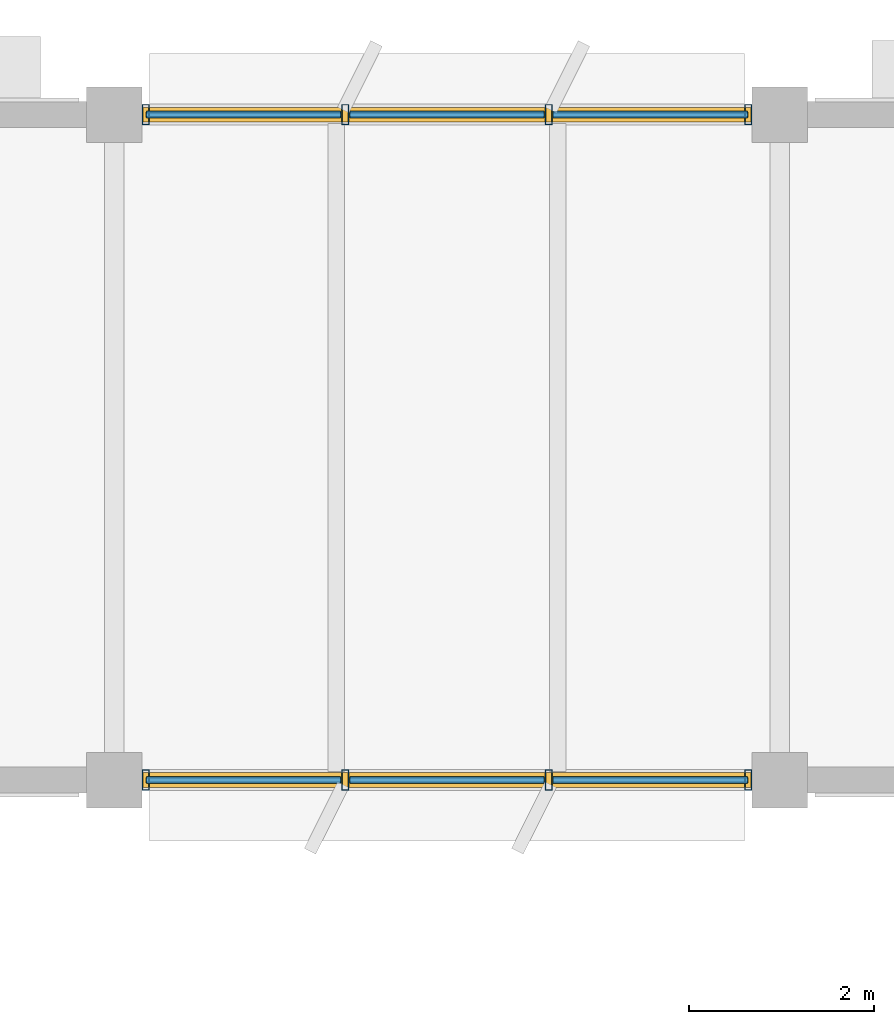
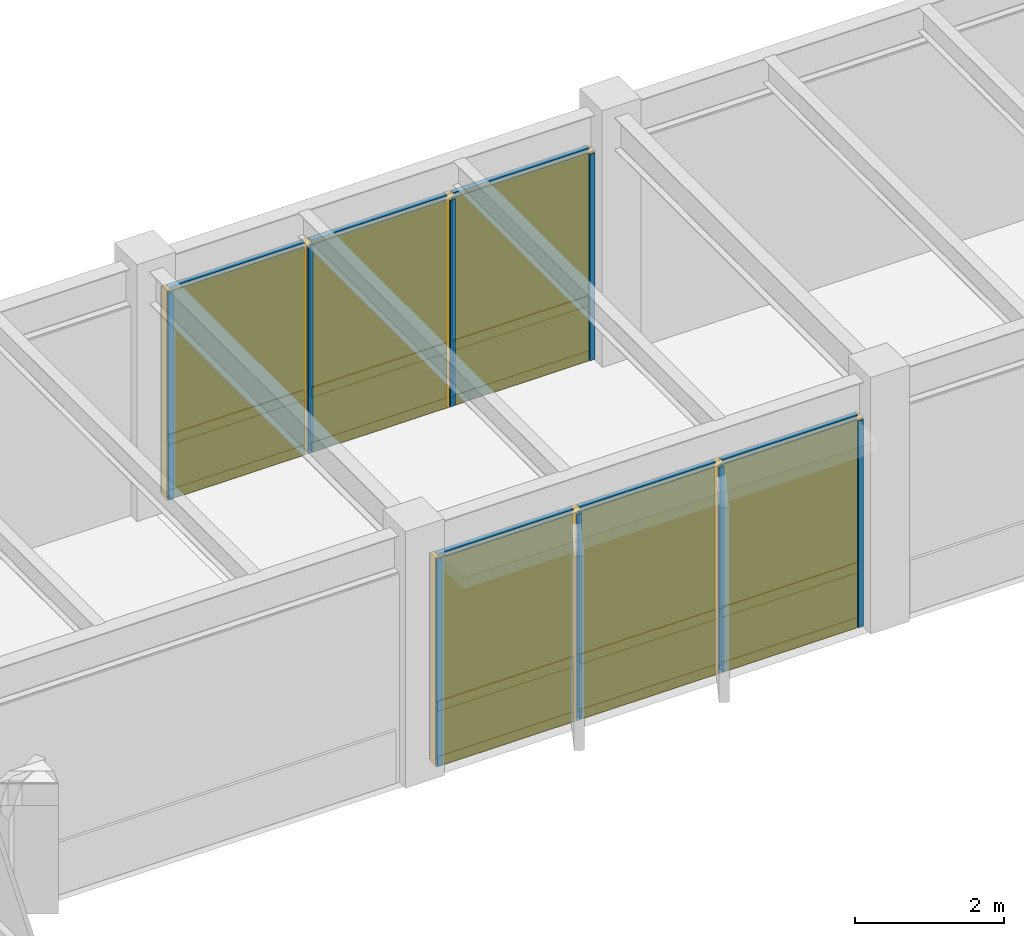
# One storey, part 63 of 85: 26 members, 12 plates, 2 curtain walls.
"""IFC4 building model written with IfcOpenShell, lengths in metres."""

from ifc_helpers import new_model, si_unit, direction, frame, origin, origin_2d, place, context, subcontext, project, spatial, rectangle, hollow_rectangle, extrude, material, layer, layer_set, material_profile, profile_set, type_object, element, aggregate, save


model = new_model("IFC4")

# Units and contexts
model_context = context("Model", 3, precision=1e-05, world=origin(), true_north=direction((0.0, 1.0)))
body_context = subcontext(model_context, "Body", "Model", "MODEL_VIEW")
ifc_project = project(units=[si_unit("LENGTHUNIT", "METRE"), si_unit("AREAUNIT", "SQUARE_METRE"), si_unit("VOLUMEUNIT", "CUBIC_METRE"), si_unit("PLANEANGLEUNIT", "RADIAN"), si_unit("MASSUNIT", "GRAM", prefix="KILO")], contexts=[model_context])

# Member
ifc_material_1 = material(Name="Anodized Aluminium 6063-T6", Category="aluminium")
ifc_material_profile_1 = material_profile(ifc_material_1, hollow_rectangle(XDim=0.074951171875, YDim=0.219970703125, WallThickness=0.0048828125, at=origin_2d()), Name="ALU 75x220x5")
ifc_profile_set_1 = profile_set([ifc_material_profile_1], Name="Anodized Aluminium 6063-T6")
member_type_1 = type_object("IfcMemberType", Name="CWM-75X180", PredefinedType="MULLION", material=ifc_profile_set_1)
site_placement = place(None, origin())
building_placement = place(site_placement, origin())
storey_placement = place(building_placement, frame((0.0, 0.0, 9.89990234375)))
member_1_placement = place(storey_placement, frame((86.06005859375, 108.0, 0.02001953125), z_axis=(0.0, 0.0, 1.0), x_axis=(1.0, 0.0, 0.0)))
member_1 = element("IfcMember", 1, at=member_1_placement, type_object=member_type_1, Name="Curtain wall mullion CW-L03-11-15-S-00", PredefinedType="MULLION", context=body_context, shape_type="SweptSolid", body=[
    extrude(hollow_rectangle(XDim=0.074951171875, YDim=0.219970703125, WallThickness=0.0048828125, at=origin_2d()), origin(), (0.0, 0.0, 1.0), 3.378173828125),
])

member_2_placement = place(storey_placement, frame((83.89990234375, 108.0, 0.02001953125), z_axis=(0.0, 0.0, 1.0), x_axis=(1.0, 0.0, 0.0)))
member_2 = element("IfcMember", 2, at=member_2_placement, type_object=member_type_1, Name="Curtain wall mullion CW-L03-11-15-S-01", PredefinedType="MULLION", context=body_context, shape_type="SweptSolid", body=[
    extrude(hollow_rectangle(XDim=0.074951171875, YDim=0.219970703125, WallThickness=0.0048828125, at=origin_2d()), origin(), (0.0, 0.0, 1.0), 3.378173828125),
])

member_3_placement = place(storey_placement, frame((81.699951171875, 108.0, 0.02001953125), z_axis=(0.0, 0.0, 1.0), x_axis=(1.0, 0.0, 0.0)))
member_3 = element("IfcMember", 3, at=member_3_placement, type_object=member_type_1, Name="Curtain wall mullion CW-L03-11-15-S-02", PredefinedType="MULLION", context=body_context, shape_type="SweptSolid", body=[
    extrude(hollow_rectangle(XDim=0.074951171875, YDim=0.219970703125, WallThickness=0.0048828125, at=origin_2d()), origin(), (0.0, 0.0, 1.0), 3.378173828125),
])

member_4_placement = place(storey_placement, frame((79.5400390625, 108.0, 0.02001953125), z_axis=(0.0, 0.0, 1.0), x_axis=(1.0, 0.0, 0.0)))
member_4 = element("IfcMember", 4, at=member_4_placement, type_object=member_type_1, Name="Curtain wall mullion CW-L03-11-15-S-03", PredefinedType="MULLION", context=body_context, shape_type="SweptSolid", body=[
    extrude(hollow_rectangle(XDim=0.074951171875, YDim=0.219970703125, WallThickness=0.0048828125, at=origin_2d()), origin(), (0.0, 0.0, 1.0), 3.378173828125),
])

member_5_placement = place(storey_placement, frame((79.5400390625, 115.199951171875, 0.02001953125), z_axis=(0.0, 0.0, 1.0), x_axis=(1.0, 0.0, 0.0)))
member_5 = element("IfcMember", 5, at=member_5_placement, type_object=member_type_1, Name="Curtain wall mullion CW-L03-11-15-N-00", PredefinedType="MULLION", context=body_context, shape_type="SweptSolid", body=[
    extrude(hollow_rectangle(XDim=0.074951171875, YDim=0.219970703125, WallThickness=0.0048828125, at=origin_2d()), origin(), (0.0, 0.0, 1.0), 3.378173828125),
])

member_6_placement = place(storey_placement, frame((81.699951171875, 115.199951171875, 0.02001953125), z_axis=(0.0, 0.0, 1.0), x_axis=(1.0, 0.0, 0.0)))
member_6 = element("IfcMember", 6, at=member_6_placement, type_object=member_type_1, Name="Curtain wall mullion CW-L03-11-15-N-01", PredefinedType="MULLION", context=body_context, shape_type="SweptSolid", body=[
    extrude(hollow_rectangle(XDim=0.074951171875, YDim=0.219970703125, WallThickness=0.0048828125, at=origin_2d()), origin(), (0.0, 0.0, 1.0), 3.378173828125),
])

member_7_placement = place(storey_placement, frame((83.89990234375, 115.199951171875, 0.02001953125), z_axis=(0.0, 0.0, 1.0), x_axis=(1.0, 0.0, 0.0)))
member_7 = element("IfcMember", 7, at=member_7_placement, type_object=member_type_1, Name="Curtain wall mullion CW-L03-11-15-N-02", PredefinedType="MULLION", context=body_context, shape_type="SweptSolid", body=[
    extrude(hollow_rectangle(XDim=0.074951171875, YDim=0.219970703125, WallThickness=0.0048828125, at=origin_2d()), origin(), (0.0, 0.0, 1.0), 3.378173828125),
])

member_8_placement = place(storey_placement, frame((86.06005859375, 115.199951171875, 0.02001953125), z_axis=(0.0, 0.0, 1.0), x_axis=(1.0, 0.0, 0.0)))
member_8 = element("IfcMember", 8, at=member_8_placement, type_object=member_type_1, Name="Curtain wall mullion CW-L03-11-15-N-03", PredefinedType="MULLION", context=body_context, shape_type="SweptSolid", body=[
    extrude(hollow_rectangle(XDim=0.074951171875, YDim=0.219970703125, WallThickness=0.0048828125, at=origin_2d()), origin(), (0.0, 0.0, 1.0), 3.378173828125),
])

ifc_material_profile_2 = material_profile(ifc_material_1, hollow_rectangle(XDim=0.074951171875, YDim=0.159912109375, WallThickness=0.00390625, at=origin_2d()), Name="ALU 75x160x4")
ifc_profile_set_2 = profile_set([ifc_material_profile_2], Name="Anodized Aluminium 6063-T6")
member_type_2 = type_object("IfcMemberType", Name="CWT-75X150", PredefinedType="USERDEFINED", material=ifc_profile_set_2)
member_9_placement = place(storey_placement, frame((86.050048828125, 108.0, 0.050048828125), z_axis=(-1.0, 0.0, 0.0), x_axis=(0.0, -1.0, 0.0)))
member_9 = element("IfcMember", 9, at=member_9_placement, type_object=member_type_2, Name="Curtain wall transom CW-L03-11-15-S-1.01", ObjectType="TRANSOM", PredefinedType="USERDEFINED", context=body_context, shape_type="SweptSolid", body=[
    extrude(hollow_rectangle(XDim=0.074951171875, YDim=0.159912109375, WallThickness=0.00390625, at=origin_2d()), origin(), (0.0, 0.0, 1.0), 2.10009765625),
])

member_10_placement = place(storey_placement, frame((83.85009765625, 108.0, 0.050048828125), z_axis=(-1.0, 0.0, 0.0), x_axis=(0.0, -1.0, 0.0)))
member_10 = element("IfcMember", 10, at=member_10_placement, type_object=member_type_2, Name="Curtain wall transom CW-L03-11-15-S-1.02", ObjectType="TRANSOM", PredefinedType="USERDEFINED", context=body_context, shape_type="SweptSolid", body=[
    extrude(hollow_rectangle(XDim=0.074951171875, YDim=0.159912109375, WallThickness=0.00390625, at=origin_2d()), origin(), (0.0, 0.0, 1.0), 2.10009765625),
])

member_11_placement = place(storey_placement, frame((81.64990234375, 108.0, 0.050048828125), z_axis=(-1.0, 0.0, 0.0), x_axis=(0.0, -1.0, 0.0)))
member_11 = element("IfcMember", 11, at=member_11_placement, type_object=member_type_2, Name="Curtain wall transom CW-L03-11-15-S-1.03", ObjectType="TRANSOM", PredefinedType="USERDEFINED", context=body_context, shape_type="SweptSolid", body=[
    extrude(hollow_rectangle(XDim=0.074951171875, YDim=0.159912109375, WallThickness=0.00390625, at=origin_2d()), origin(), (0.0, 0.0, 1.0), 2.099853515625),
])

member_12_placement = place(storey_placement, frame((86.050048828125, 108.0, 0.9501953125), z_axis=(-1.0, 0.0, 0.0), x_axis=(0.0, -1.0, 0.0)))
member_12 = element("IfcMember", 12, at=member_12_placement, type_object=member_type_2, Name="Curtain wall transom CW-L03-11-15-S-2.01", ObjectType="TRANSOM", PredefinedType="USERDEFINED", context=body_context, shape_type="SweptSolid", body=[
    extrude(hollow_rectangle(XDim=0.074951171875, YDim=0.159912109375, WallThickness=0.00390625, at=origin_2d()), origin(), (0.0, 0.0, 1.0), 2.10009765625),
])

member_13_placement = place(storey_placement, frame((83.85009765625, 108.0, 0.9501953125), z_axis=(-1.0, 0.0, 0.0), x_axis=(0.0, -1.0, 0.0)))
member_13 = element("IfcMember", 13, at=member_13_placement, type_object=member_type_2, Name="Curtain wall transom CW-L03-11-15-S-2.02", ObjectType="TRANSOM", PredefinedType="USERDEFINED", context=body_context, shape_type="SweptSolid", body=[
    extrude(hollow_rectangle(XDim=0.074951171875, YDim=0.159912109375, WallThickness=0.00390625, at=origin_2d()), origin(), (0.0, 0.0, 1.0), 2.10009765625),
])

member_14_placement = place(storey_placement, frame((81.64990234375, 108.0, 0.9501953125), z_axis=(-1.0, 0.0, 0.0), x_axis=(0.0, -1.0, 0.0)))
member_14 = element("IfcMember", 14, at=member_14_placement, type_object=member_type_2, Name="Curtain wall transom CW-L03-11-15-S-2.03", ObjectType="TRANSOM", PredefinedType="USERDEFINED", context=body_context, shape_type="SweptSolid", body=[
    extrude(hollow_rectangle(XDim=0.074951171875, YDim=0.159912109375, WallThickness=0.00390625, at=origin_2d()), origin(), (0.0, 0.0, 1.0), 2.099853515625),
])

member_15_placement = place(storey_placement, frame((86.050048828125, 108.0, 3.3681640625), z_axis=(-1.0, 0.0, 0.0), x_axis=(0.0, -1.0, 0.0)))
member_15 = element("IfcMember", 15, at=member_15_placement, type_object=member_type_2, Name="Curtain wall transom CW-L03-11-15-S-3.01", ObjectType="TRANSOM", PredefinedType="USERDEFINED", context=body_context, shape_type="SweptSolid", body=[
    extrude(hollow_rectangle(XDim=0.074951171875, YDim=0.159912109375, WallThickness=0.00390625, at=origin_2d()), origin(), (0.0, 0.0, 1.0), 2.10009765625),
])

member_16_placement = place(storey_placement, frame((83.85009765625, 108.0, 3.3681640625), z_axis=(-1.0, 0.0, 0.0), x_axis=(0.0, -1.0, 0.0)))
member_16 = element("IfcMember", 16, at=member_16_placement, type_object=member_type_2, Name="Curtain wall transom CW-L03-11-15-S-3.02", ObjectType="TRANSOM", PredefinedType="USERDEFINED", context=body_context, shape_type="SweptSolid", body=[
    extrude(hollow_rectangle(XDim=0.074951171875, YDim=0.159912109375, WallThickness=0.00390625, at=origin_2d()), origin(), (0.0, 0.0, 1.0), 2.10009765625),
])

member_17_placement = place(storey_placement, frame((81.64990234375, 108.0, 3.3681640625), z_axis=(-1.0, 0.0, 0.0), x_axis=(0.0, -1.0, 0.0)))
member_17 = element("IfcMember", 17, at=member_17_placement, type_object=member_type_2, Name="Curtain wall transom CW-L03-11-15-S-3.03", ObjectType="TRANSOM", PredefinedType="USERDEFINED", context=body_context, shape_type="SweptSolid", body=[
    extrude(hollow_rectangle(XDim=0.074951171875, YDim=0.159912109375, WallThickness=0.00390625, at=origin_2d()), origin(), (0.0, 0.0, 1.0), 2.099853515625),
])

member_18_placement = place(storey_placement, frame((79.550048828125, 115.199951171875, 0.050048828125), z_axis=(1.0, 0.0, 0.0), x_axis=(0.0, 1.0, 0.0)))
member_18 = element("IfcMember", 18, at=member_18_placement, type_object=member_type_2, Name="Curtain wall transom CW-L03-11-15-N-1.01", ObjectType="TRANSOM", PredefinedType="USERDEFINED", context=body_context, shape_type="SweptSolid", body=[
    extrude(hollow_rectangle(XDim=0.074951171875, YDim=0.159912109375, WallThickness=0.00390625, at=origin_2d()), origin(), (0.0, 0.0, 1.0), 2.099853515625),
])

member_19_placement = place(storey_placement, frame((81.75, 115.199951171875, 0.050048828125), z_axis=(1.0, 0.0, 0.0), x_axis=(0.0, 1.0, 0.0)))
member_19 = element("IfcMember", 19, at=member_19_placement, type_object=member_type_2, Name="Curtain wall transom CW-L03-11-15-N-1.02", ObjectType="TRANSOM", PredefinedType="USERDEFINED", context=body_context, shape_type="SweptSolid", body=[
    extrude(hollow_rectangle(XDim=0.074951171875, YDim=0.159912109375, WallThickness=0.00390625, at=origin_2d()), origin(), (0.0, 0.0, 1.0), 2.10009765625),
])

member_20_placement = place(storey_placement, frame((83.949951171875, 115.199951171875, 0.050048828125), z_axis=(1.0, 0.0, 0.0), x_axis=(0.0, 1.0, 0.0)))
member_20 = element("IfcMember", 20, at=member_20_placement, type_object=member_type_2, Name="Curtain wall transom CW-L03-11-15-N-1.03", ObjectType="TRANSOM", PredefinedType="USERDEFINED", context=body_context, shape_type="SweptSolid", body=[
    extrude(hollow_rectangle(XDim=0.074951171875, YDim=0.159912109375, WallThickness=0.00390625, at=origin_2d()), origin(), (0.0, 0.0, 1.0), 2.10009765625),
])

member_21_placement = place(storey_placement, frame((79.550048828125, 115.199951171875, 0.9501953125), z_axis=(1.0, 0.0, 0.0), x_axis=(0.0, 1.0, 0.0)))
member_21 = element("IfcMember", 21, at=member_21_placement, type_object=member_type_2, Name="Curtain wall transom CW-L03-11-15-N-2.01", ObjectType="TRANSOM", PredefinedType="USERDEFINED", context=body_context, shape_type="SweptSolid", body=[
    extrude(hollow_rectangle(XDim=0.074951171875, YDim=0.159912109375, WallThickness=0.00390625, at=origin_2d()), origin(), (0.0, 0.0, 1.0), 2.099853515625),
])

member_22_placement = place(storey_placement, frame((81.75, 115.199951171875, 0.9501953125), z_axis=(1.0, 0.0, 0.0), x_axis=(0.0, 1.0, 0.0)))
member_22 = element("IfcMember", 22, at=member_22_placement, type_object=member_type_2, Name="Curtain wall transom CW-L03-11-15-N-2.02", ObjectType="TRANSOM", PredefinedType="USERDEFINED", context=body_context, shape_type="SweptSolid", body=[
    extrude(hollow_rectangle(XDim=0.074951171875, YDim=0.159912109375, WallThickness=0.00390625, at=origin_2d()), origin(), (0.0, 0.0, 1.0), 2.10009765625),
])

member_23_placement = place(storey_placement, frame((83.949951171875, 115.199951171875, 0.9501953125), z_axis=(1.0, 0.0, 0.0), x_axis=(0.0, 1.0, 0.0)))
member_23 = element("IfcMember", 23, at=member_23_placement, type_object=member_type_2, Name="Curtain wall transom CW-L03-11-15-N-2.03", ObjectType="TRANSOM", PredefinedType="USERDEFINED", context=body_context, shape_type="SweptSolid", body=[
    extrude(hollow_rectangle(XDim=0.074951171875, YDim=0.159912109375, WallThickness=0.00390625, at=origin_2d()), origin(), (0.0, 0.0, 1.0), 2.10009765625),
])

member_24_placement = place(storey_placement, frame((79.550048828125, 115.199951171875, 3.3681640625), z_axis=(1.0, 0.0, 0.0), x_axis=(0.0, 1.0, 0.0)))
member_24 = element("IfcMember", 24, at=member_24_placement, type_object=member_type_2, Name="Curtain wall transom CW-L03-11-15-N-3.01", ObjectType="TRANSOM", PredefinedType="USERDEFINED", context=body_context, shape_type="SweptSolid", body=[
    extrude(hollow_rectangle(XDim=0.074951171875, YDim=0.159912109375, WallThickness=0.00390625, at=origin_2d()), origin(), (0.0, 0.0, 1.0), 2.099853515625),
])

member_25_placement = place(storey_placement, frame((81.75, 115.199951171875, 3.3681640625), z_axis=(1.0, 0.0, 0.0), x_axis=(0.0, 1.0, 0.0)))
member_25 = element("IfcMember", 25, at=member_25_placement, type_object=member_type_2, Name="Curtain wall transom CW-L03-11-15-N-3.02", ObjectType="TRANSOM", PredefinedType="USERDEFINED", context=body_context, shape_type="SweptSolid", body=[
    extrude(hollow_rectangle(XDim=0.074951171875, YDim=0.159912109375, WallThickness=0.00390625, at=origin_2d()), origin(), (0.0, 0.0, 1.0), 2.10009765625),
])

member_26_placement = place(storey_placement, frame((83.949951171875, 115.199951171875, 3.3681640625), z_axis=(1.0, 0.0, 0.0), x_axis=(0.0, 1.0, 0.0)))
member_26 = element("IfcMember", 26, at=member_26_placement, type_object=member_type_2, Name="Curtain wall transom CW-L03-11-15-N-3.03", ObjectType="TRANSOM", PredefinedType="USERDEFINED", context=body_context, shape_type="SweptSolid", body=[
    extrude(hollow_rectangle(XDim=0.074951171875, YDim=0.159912109375, WallThickness=0.00390625, at=origin_2d()), origin(), (0.0, 0.0, 1.0), 2.10009765625),
])

# Plate
ifc_material_2 = material(Name="Acoustic Laminated Low-E Glazing", Category="glass")
ifc_layer_1 = layer(ifc_material_2, 0.0439453125)
ifc_layer_set_1 = layer_set([ifc_layer_1], Name="Acoustic Laminated Low-E Glazing")
plate_type_1 = type_object("IfcPlateType", Name="CWP-IGU-44", PredefinedType="CURTAIN_PANEL", material=ifc_layer_set_1)
plate_1_placement = place(storey_placement, frame((85.0, 108.0, 0.990234375), z_axis=(0.0, 0.0, 1.0), x_axis=(-1.0, 0.0, 0.0)))
plate_1 = element("IfcPlate", 27, at=plate_1_placement, type_object=plate_type_1, Name="Curtain wall vision glazing CW-L03-11-15-S-01", PredefinedType="CURTAIN_PANEL", context=body_context, shape_type="SweptSolid", body=[
    extrude(rectangle(XDim=2.110107421875, YDim=0.0400390625, at=origin_2d()), origin(), (0.0, 0.0, 1.0), 2.367919921875),
])

plate_2_placement = place(storey_placement, frame((82.800048828125, 108.0, 0.990234375), z_axis=(0.0, 0.0, 1.0), x_axis=(-1.0, 0.0, 0.0)))
plate_2 = element("IfcPlate", 28, at=plate_2_placement, type_object=plate_type_1, Name="Curtain wall vision glazing CW-L03-11-15-S-02", PredefinedType="CURTAIN_PANEL", context=body_context, shape_type="SweptSolid", body=[
    extrude(rectangle(XDim=2.110107421875, YDim=0.0400390625, at=origin_2d()), origin(), (0.0, 0.0, 1.0), 2.367919921875),
])

plate_3_placement = place(storey_placement, frame((80.60009765625, 108.0, 0.990234375), z_axis=(0.0, 0.0, 1.0), x_axis=(-1.0, 0.0, 0.0)))
plate_3 = element("IfcPlate", 29, at=plate_3_placement, type_object=plate_type_1, Name="Curtain wall vision glazing CW-L03-11-15-S-03", PredefinedType="CURTAIN_PANEL", context=body_context, shape_type="SweptSolid", body=[
    extrude(rectangle(XDim=2.110107421875, YDim=0.0400390625, at=origin_2d()), origin(), (0.0, 0.0, 1.0), 2.367919921875),
])

plate_4_placement = place(storey_placement, frame((80.60009765625, 115.199951171875, 0.990234375), z_axis=(0.0, 0.0, 1.0), x_axis=(1.0, 0.0, 0.0)))
plate_4 = element("IfcPlate", 30, at=plate_4_placement, type_object=plate_type_1, Name="Curtain wall vision glazing CW-L03-11-15-N-01", PredefinedType="CURTAIN_PANEL", context=body_context, shape_type="SweptSolid", body=[
    extrude(rectangle(XDim=2.110107421875, YDim=0.0400390625, at=origin_2d()), origin(), (0.0, 0.0, 1.0), 2.367919921875),
])

plate_5_placement = place(storey_placement, frame((82.800048828125, 115.199951171875, 0.990234375), z_axis=(0.0, 0.0, 1.0), x_axis=(1.0, 0.0, 0.0)))
plate_5 = element("IfcPlate", 31, at=plate_5_placement, type_object=plate_type_1, Name="Curtain wall vision glazing CW-L03-11-15-N-02", PredefinedType="CURTAIN_PANEL", context=body_context, shape_type="SweptSolid", body=[
    extrude(rectangle(XDim=2.110107421875, YDim=0.0400390625, at=origin_2d()), origin(), (0.0, 0.0, 1.0), 2.367919921875),
])

plate_6_placement = place(storey_placement, frame((85.0, 115.199951171875, 0.990234375), z_axis=(0.0, 0.0, 1.0), x_axis=(1.0, 0.0, 0.0)))
plate_6 = element("IfcPlate", 32, at=plate_6_placement, type_object=plate_type_1, Name="Curtain wall vision glazing CW-L03-11-15-N-03", PredefinedType="CURTAIN_PANEL", context=body_context, shape_type="SweptSolid", body=[
    extrude(rectangle(XDim=2.110107421875, YDim=0.0400390625, at=origin_2d()), origin(), (0.0, 0.0, 1.0), 2.367919921875),
])

ifc_material_3 = material(Name="Insulated Stone-Composite Spandrel", Category="masonry")
ifc_layer_2 = layer(ifc_material_3, 0.068115234375)
ifc_layer_set_2 = layer_set([ifc_layer_2], Name="Insulated Stone-Composite Spandrel")
plate_type_2 = type_object("IfcPlateType", Name="CWP-SPN-68", PredefinedType="CURTAIN_PANEL", material=ifc_layer_set_2)
plate_7_placement = place(storey_placement, frame((85.0, 108.0, 0.080078125), z_axis=(0.0, 0.0, 1.0), x_axis=(-1.0, 0.0, 0.0)))
plate_7 = element("IfcPlate", 33, at=plate_7_placement, type_object=plate_type_2, Name="Curtain wall spandrel panel CW-L03-11-15-S-01", PredefinedType="CURTAIN_PANEL", context=body_context, shape_type="SweptSolid", body=[
    extrude(rectangle(XDim=2.110107421875, YDim=0.06005859375, at=origin_2d()), origin(), (0.0, 0.0, 1.0), 0.840087890625),
])

plate_8_placement = place(storey_placement, frame((82.800048828125, 108.0, 0.080078125), z_axis=(0.0, 0.0, 1.0), x_axis=(-1.0, 0.0, 0.0)))
plate_8 = element("IfcPlate", 34, at=plate_8_placement, type_object=plate_type_2, Name="Curtain wall spandrel panel CW-L03-11-15-S-02", PredefinedType="CURTAIN_PANEL", context=body_context, shape_type="SweptSolid", body=[
    extrude(rectangle(XDim=2.110107421875, YDim=0.06005859375, at=origin_2d()), origin(), (0.0, 0.0, 1.0), 0.840087890625),
])

plate_9_placement = place(storey_placement, frame((80.60009765625, 108.0, 0.080078125), z_axis=(0.0, 0.0, 1.0), x_axis=(-1.0, 0.0, 0.0)))
plate_9 = element("IfcPlate", 35, at=plate_9_placement, type_object=plate_type_2, Name="Curtain wall spandrel panel CW-L03-11-15-S-03", PredefinedType="CURTAIN_PANEL", context=body_context, shape_type="SweptSolid", body=[
    extrude(rectangle(XDim=2.110107421875, YDim=0.06005859375, at=origin_2d()), origin(), (0.0, 0.0, 1.0), 0.840087890625),
])

plate_10_placement = place(storey_placement, frame((80.60009765625, 115.199951171875, 0.080078125), z_axis=(0.0, 0.0, 1.0), x_axis=(1.0, 0.0, 0.0)))
plate_10 = element("IfcPlate", 36, at=plate_10_placement, type_object=plate_type_2, Name="Curtain wall spandrel panel CW-L03-11-15-N-01", PredefinedType="CURTAIN_PANEL", context=body_context, shape_type="SweptSolid", body=[
    extrude(rectangle(XDim=2.110107421875, YDim=0.06005859375, at=origin_2d()), origin(), (0.0, 0.0, 1.0), 0.840087890625),
])

plate_11_placement = place(storey_placement, frame((82.800048828125, 115.199951171875, 0.080078125), z_axis=(0.0, 0.0, 1.0), x_axis=(1.0, 0.0, 0.0)))
plate_11 = element("IfcPlate", 37, at=plate_11_placement, type_object=plate_type_2, Name="Curtain wall spandrel panel CW-L03-11-15-N-02", PredefinedType="CURTAIN_PANEL", context=body_context, shape_type="SweptSolid", body=[
    extrude(rectangle(XDim=2.110107421875, YDim=0.06005859375, at=origin_2d()), origin(), (0.0, 0.0, 1.0), 0.840087890625),
])

plate_12_placement = place(storey_placement, frame((85.0, 115.199951171875, 0.080078125), z_axis=(0.0, 0.0, 1.0), x_axis=(1.0, 0.0, 0.0)))
plate_12 = element("IfcPlate", 38, at=plate_12_placement, type_object=plate_type_2, Name="Curtain wall spandrel panel CW-L03-11-15-N-03", PredefinedType="CURTAIN_PANEL", context=body_context, shape_type="SweptSolid", body=[
    extrude(rectangle(XDim=2.110107421875, YDim=0.06005859375, at=origin_2d()), origin(), (0.0, 0.0, 1.0), 0.840087890625),
])

# Site, building, storey
site = spatial("IfcSite", under=ifc_project, at=site_placement, CompositionType="ELEMENT")
building = spatial("IfcBuilding", under=site, at=building_placement, Name="Sillqori Civic Hall", CompositionType="ELEMENT")
storey = spatial("IfcBuildingStorey", under=building, at=storey_placement, Name="L03", CompositionType="ELEMENT", Elevation=9.89990234375)

# Curtain wall
ifc_material_4 = material(Name="Anodized Aluminium Curtain Wall System", Category="aluminium")
curtain_wall_type = type_object("IfcCurtainWallType", Name="CW-GL-400", PredefinedType="NOTDEFINED", material=ifc_material_4)
curtain_wall_1_placement = place(storey_placement, frame((82.800048828125, 108.0, 0.0), z_axis=(0.0, 0.0, 1.0), x_axis=(-1.0, 0.0, 0.0)))
curtain_wall_1 = element("IfcCurtainWall", 39, at=curtain_wall_1_placement, inside=storey, type_object=curtain_wall_type, Name="L03 unitised curtain wall CW-L03-11-15-S", PredefinedType="NOTDEFINED", context=body_context, shape_type="SweptSolid", body=[
    extrude(rectangle(XDim=6.60009765625, YDim=0.159912109375, at=origin_2d()), origin(), (0.0, 0.0, 1.0), 3.41796875),
])

aggregate(curtain_wall_1, [member_1, member_2, member_3, member_4, member_9, member_10, member_11, member_12, member_13, member_14, member_15, member_16, member_17, plate_7, plate_1, plate_8, plate_2, plate_9, plate_3])

curtain_wall_2_placement = place(storey_placement, frame((82.800048828125, 115.199951171875, 0.0), z_axis=(0.0, 0.0, 1.0), x_axis=(1.0, 0.0, 0.0)))
curtain_wall_2 = element("IfcCurtainWall", 40, at=curtain_wall_2_placement, inside=storey, type_object=curtain_wall_type, Name="L03 unitised curtain wall CW-L03-11-15-N", PredefinedType="NOTDEFINED", context=body_context, shape_type="SweptSolid", body=[
    extrude(rectangle(XDim=6.60009765625, YDim=0.159912109375, at=origin_2d()), origin(), (0.0, 0.0, 1.0), 3.41796875),
])

aggregate(curtain_wall_2, [member_5, member_6, member_7, member_8, member_18, member_19, member_20, member_21, member_22, member_23, member_24, member_25, member_26, plate_10, plate_4, plate_11, plate_5, plate_12, plate_6])

save(model, "model.ifc")
